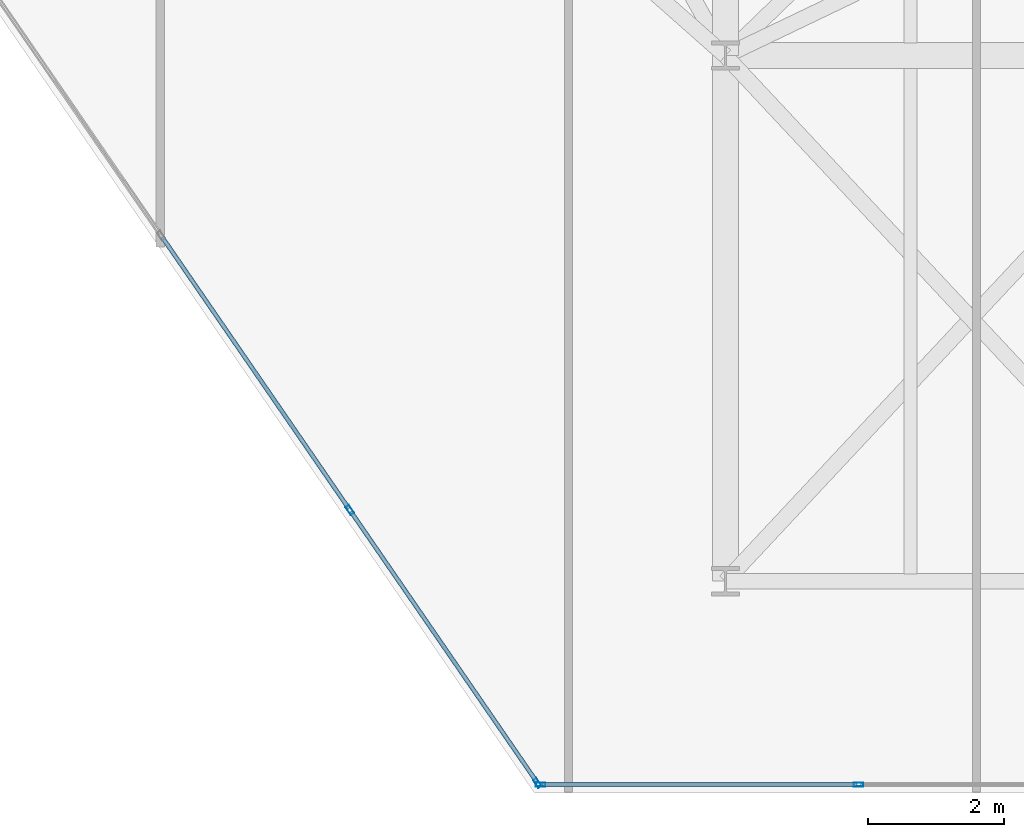
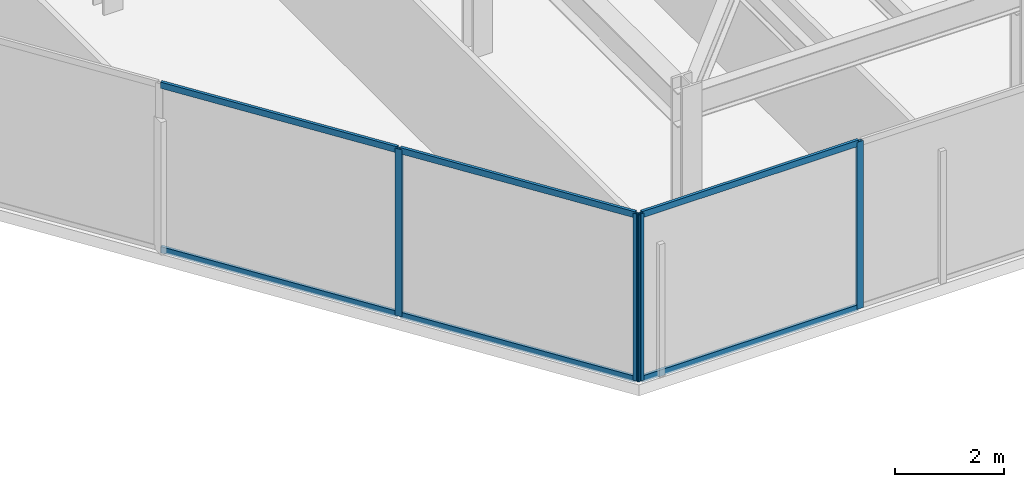
# One storey, part 16 of 26: 10 members, 2 elements without a shape of their own.
"""IFC4 building model written with IfcOpenShell, lengths in metres."""

from ifc_helpers import new_model, si_unit, direction, frame, origin, origin_2d, place, context, subcontext, project, spatial, hollow_rectangle, extrude, material, layer, layer_set, material_profile, profile_set, type_object, element, aggregate, save


model = new_model("IFC4")

# Units and contexts
model_context = context("Model", 3, precision=1e-05, world=origin(), true_north=direction((0.0, 1.0)))
body_context = subcontext(model_context, "Body", "Model", "MODEL_VIEW")
ifc_project = project(units=[si_unit("LENGTHUNIT", "METRE"), si_unit("AREAUNIT", "SQUARE_METRE"), si_unit("VOLUMEUNIT", "CUBIC_METRE"), si_unit("PLANEANGLEUNIT", "RADIAN"), si_unit("MASSUNIT", "GRAM", prefix="KILO")], contexts=[model_context])

# Site, building, storey
site_placement = place(None, origin())
site = spatial("IfcSite", under=ifc_project, at=site_placement, CompositionType="ELEMENT")
building_placement = place(site_placement, origin())
building = spatial("IfcBuilding", under=site, at=building_placement, Name="Kravanh Interchange Tower", CompositionType="ELEMENT")
storey_placement = place(building_placement, frame((0.0, 0.0, 172.5)))
storey = spatial("IfcBuildingStorey", under=building, at=storey_placement, Name="L41", CompositionType="ELEMENT", Elevation=172.5)

# Curtain wall, members
ifc_material_1 = material(Name="Anodised Bronze Aluminium", Category="aluminium")
ifc_layer = layer(ifc_material_1, 0.179931640625)
ifc_layer_set = layer_set([ifc_layer], Name="Unitised Curtain Wall System CW-Z3 Upper Office")
curtain_wall_type = type_object("IfcCurtainWallType", Name="Unitised Curtain Wall System CW-Z3 Upper Office", PredefinedType="NOTDEFINED", material=ifc_layer_set)
curtain_wall_1_placement = place(storey_placement, origin())
curtain_wall_1 = element("IfcCurtainWall", 1, at=curtain_wall_1_placement, inside=storey, type_object=curtain_wall_type, Name="L41 Unitised Curtain Wall CW-L41-03", PredefinedType="NOTDEFINED")
ifc_material_2 = material(Name="Anodised Bronze Aluminium", Category="aluminium")
ifc_material_profile_1 = material_profile(ifc_material_2, hollow_rectangle(XDim=0.06005859375, YDim=0.139892578125, WallThickness=0.00390625, at=origin_2d()), Name="ALU60X140X4")
ifc_profile_set_1 = profile_set([ifc_material_profile_1], Name="Anodised Bronze Aluminium")
member_type_1 = type_object("IfcMemberType", Name="Curtain Wall Mullion ALU60X140X4 Bronze", PredefinedType="MULLION", material=ifc_profile_set_1)
member_1_placement = place(storey_placement, frame((57.9521484375, 11.52001953125, 0.0), z_axis=(0.0, 0.0, 1.0), x_axis=(0.0, -1.0, 0.0)))
member_1 = element("IfcMember", 2, at=member_1_placement, type_object=member_type_1, Name="CW-Z3 mullion 2", PredefinedType="MULLION", context=body_context, shape_type="SweptSolid", body=[
    extrude(hollow_rectangle(XDim=0.06005859375, YDim=0.139892578125, WallThickness=0.00390625, at=origin_2d()), origin(), (0.0, 0.0, 1.0), 3.7548828125),
])
member_2_placement = place(storey_placement, frame((53.293212890625, 11.52001953125, 0.0), z_axis=(0.0, 0.0, 1.0), x_axis=(0.0, -1.0, 0.0)))
member_2 = element("IfcMember", 3, at=member_2_placement, type_object=member_type_1, Name="CW-Z3 mullion 3", PredefinedType="MULLION", context=body_context, shape_type="SweptSolid", body=[
    extrude(hollow_rectangle(XDim=0.06005859375, YDim=0.139892578125, WallThickness=0.00390625, at=origin_2d()), origin(), (0.0, 0.0, 1.0), 3.7548828125),
])

curtain_wall_2_placement = place(storey_placement, origin())
curtain_wall_2 = element("IfcCurtainWall", 4, at=curtain_wall_2_placement, inside=storey, type_object=curtain_wall_type, Name="L41 Unitised Curtain Wall CW-L41-04", PredefinedType="NOTDEFINED")
member_3_placement = place(storey_placement, frame((53.24609375, 11.544677734375, 0.0), z_axis=(0.0, 0.0, 1.0), x_axis=(-0.824042223035, -0.566528388217, 0.0)))
member_3 = element("IfcMember", 5, at=member_3_placement, type_object=member_type_1, Name="CW-Z3 mullion 1", PredefinedType="MULLION", context=body_context, shape_type="SweptSolid", body=[
    extrude(hollow_rectangle(XDim=0.06005859375, YDim=0.139892578125, WallThickness=0.00390625, at=origin_2d()), origin(), (0.0, 0.0, 1.0), 3.7548828125),
])
member_4_placement = place(storey_placement, frame((50.497314453125, 15.54296875, 0.0), z_axis=(0.0, 0.0, 1.0), x_axis=(-0.824042223035, -0.566528388217, 0.0)))
member_4 = element("IfcMember", 6, at=member_4_placement, type_object=member_type_1, Name="CW-Z3 mullion 2", PredefinedType="MULLION", context=body_context, shape_type="SweptSolid", body=[
    extrude(hollow_rectangle(XDim=0.06005859375, YDim=0.139892578125, WallThickness=0.00390625, at=origin_2d()), origin(), (0.0, 0.0, 1.0), 3.7548828125),
])

# Member
ifc_material_3 = material(Name="Anodised Bronze Aluminium", Category="aluminium")
ifc_material_profile_2 = material_profile(ifc_material_3, hollow_rectangle(XDim=0.06005859375, YDim=0.139892578125, WallThickness=0.00390625, at=origin_2d()), Name="ALU60X140X4")
ifc_profile_set_2 = profile_set([ifc_material_profile_2], Name="Anodised Bronze Aluminium")
member_type_2 = type_object("IfcMemberType", Name="Curtain Wall Transom ALU60X140X4 Bronze", PredefinedType="USERDEFINED", material=ifc_profile_set_2)
member_5_placement = place(storey_placement, frame((57.922119140625, 11.52001953125, 0.030029296875), z_axis=(-1.0, 0.0, 0.0), x_axis=(0.0, -1.0, 0.0)))
member_5 = element("IfcMember", 7, at=member_5_placement, type_object=member_type_2, Name="CW-Z3 transom 2.1", ObjectType="TRANSOM", PredefinedType="USERDEFINED", context=body_context, shape_type="SweptSolid", body=[
    extrude(hollow_rectangle(XDim=0.06005859375, YDim=0.139892578125, WallThickness=0.00390625, at=origin_2d()), origin(), (0.0, 0.0, 1.0), 4.59912109375),
])

member_6_placement = place(storey_placement, frame((57.922119140625, 11.52001953125, 3.72509765625), z_axis=(-1.0, 0.0, 0.0), x_axis=(0.0, -1.0, 0.0)))
member_6 = element("IfcMember", 8, at=member_6_placement, type_object=member_type_2, Name="CW-Z3 transom 2.2", ObjectType="TRANSOM", PredefinedType="USERDEFINED", context=body_context, shape_type="SweptSolid", body=[
    extrude(hollow_rectangle(XDim=0.06005859375, YDim=0.139892578125, WallThickness=0.00390625, at=origin_2d()), origin(), (0.0, 0.0, 1.0), 4.59912109375),
])

aggregate(curtain_wall_1, [member_1, member_2, member_5, member_6])

member_7_placement = place(storey_placement, frame((53.22900390625, 11.5693359375, 0.030029296875), z_axis=(-0.566483415384, 0.824073140016, 0.0), x_axis=(-0.824073140016, -0.566483415384, 0.0)))
member_7 = element("IfcMember", 9, at=member_7_placement, type_object=member_type_2, Name="CW-Z3 transom 1.1", ObjectType="TRANSOM", PredefinedType="USERDEFINED", context=body_context, shape_type="SweptSolid", body=[
    extrude(hollow_rectangle(XDim=0.06005859375, YDim=0.139892578125, WallThickness=0.00390625, at=origin_2d()), origin(), (0.0, 0.0, 1.0), 4.7919921875),
])

member_8_placement = place(storey_placement, frame((53.22900390625, 11.5693359375, 3.72509765625), z_axis=(-0.566483415384, 0.824073140016, 0.0), x_axis=(-0.824073140016, -0.566483415384, 0.0)))
member_8 = element("IfcMember", 10, at=member_8_placement, type_object=member_type_2, Name="CW-Z3 transom 1.2", ObjectType="TRANSOM", PredefinedType="USERDEFINED", context=body_context, shape_type="SweptSolid", body=[
    extrude(hollow_rectangle(XDim=0.06005859375, YDim=0.139892578125, WallThickness=0.00390625, at=origin_2d()), origin(), (0.0, 0.0, 1.0), 4.7919921875),
])

member_9_placement = place(storey_placement, frame((50.480224609375, 15.567626953125, 0.030029296875), z_axis=(-0.566503037389, 0.824059651135, 0.0), x_axis=(-0.824059651135, -0.566503037389, 0.0)))
member_9 = element("IfcMember", 11, at=member_9_placement, type_object=member_type_2, Name="CW-Z3 transom 2.1", ObjectType="TRANSOM", PredefinedType="USERDEFINED", context=body_context, shape_type="SweptSolid", body=[
    extrude(hollow_rectangle(XDim=0.06005859375, YDim=0.139892578125, WallThickness=0.00390625, at=origin_2d()), origin(), (0.0, 0.0, 1.0), 4.822021484375),
])

member_10_placement = place(storey_placement, frame((50.480224609375, 15.567626953125, 3.72509765625), z_axis=(-0.566503037389, 0.824059651135, 0.0), x_axis=(-0.824059651135, -0.566503037389, 0.0)))
member_10 = element("IfcMember", 12, at=member_10_placement, type_object=member_type_2, Name="CW-Z3 transom 2.2", ObjectType="TRANSOM", PredefinedType="USERDEFINED", context=body_context, shape_type="SweptSolid", body=[
    extrude(hollow_rectangle(XDim=0.06005859375, YDim=0.139892578125, WallThickness=0.00390625, at=origin_2d()), origin(), (0.0, 0.0, 1.0), 4.822021484375),
])

aggregate(curtain_wall_2, [member_3, member_4, member_7, member_8, member_9, member_10])

save(model, "model.ifc")
